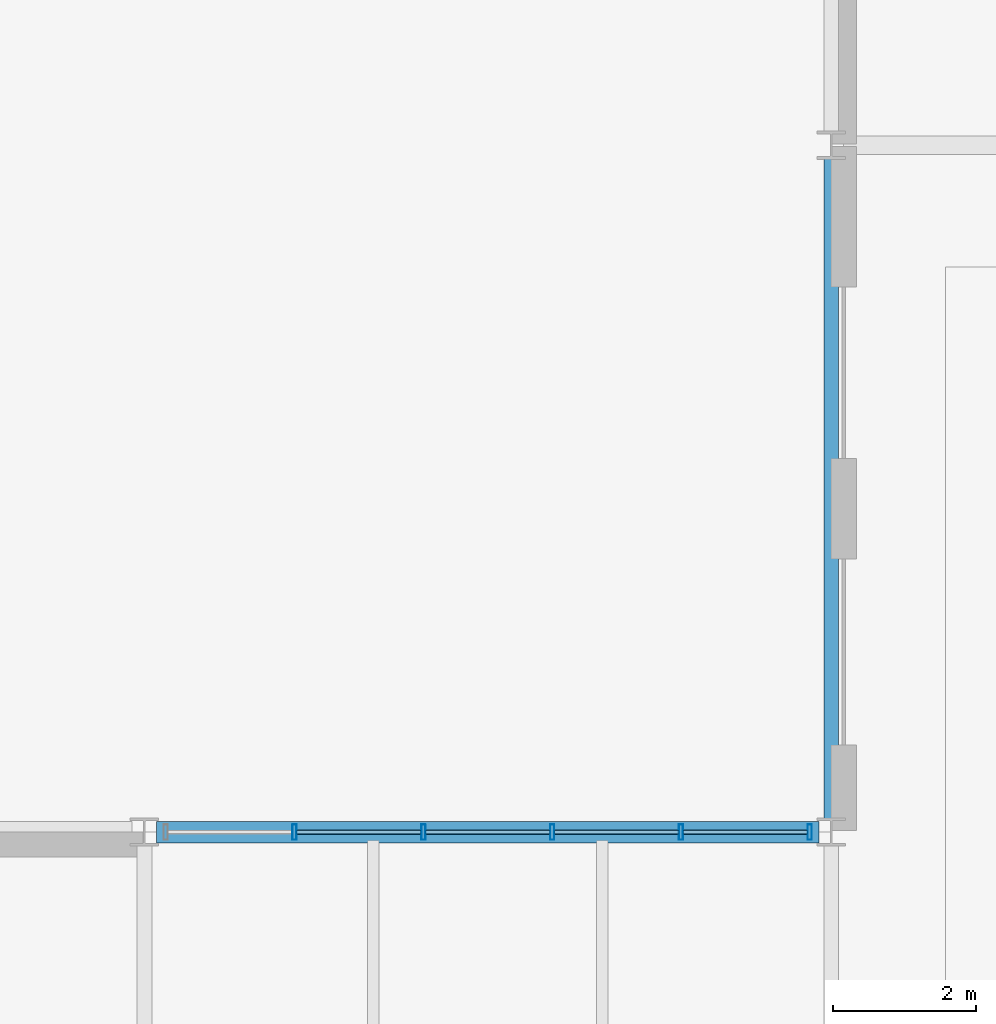
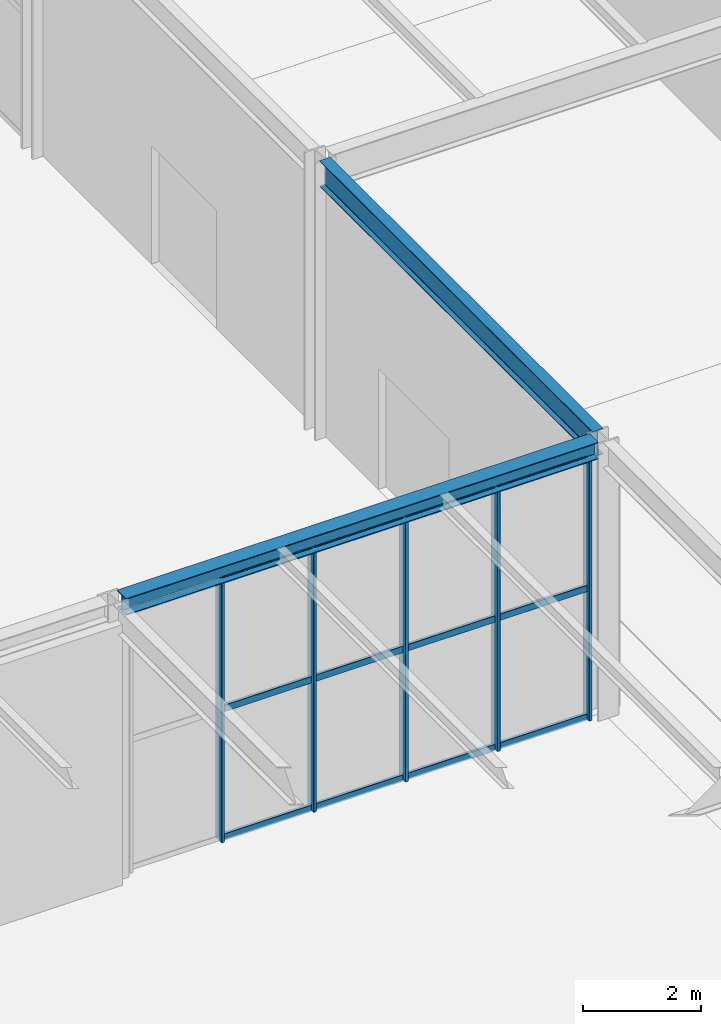
# One storey, part 59 of 142: 17 members, 2 beams, 1 element without a shape of its own.
"""IFC4 building model written with IfcOpenShell, lengths in metres."""

from ifc_helpers import new_model, si_unit, direction, frame, origin, origin_2d, place, context, subcontext, project, spatial, hollow_rectangle, i_section, extrude, material, material_profile, profile_set, type_object, element, aggregate, save


model = new_model("IFC4")

# Units and contexts
model_context = context("Model", 3, precision=1e-05, world=origin(), true_north=direction((0.0, 1.0)))
body_context = subcontext(model_context, "Body", "Model", "MODEL_VIEW")
ifc_project = project(units=[si_unit("LENGTHUNIT", "METRE"), si_unit("AREAUNIT", "SQUARE_METRE"), si_unit("VOLUMEUNIT", "CUBIC_METRE"), si_unit("PLANEANGLEUNIT", "RADIAN"), si_unit("MASSUNIT", "GRAM", prefix="KILO")], contexts=[model_context])

# Site, building, storey
site_placement = place(None, origin())
site = spatial("IfcSite", under=ifc_project, at=site_placement, CompositionType="ELEMENT")
building_placement = place(site_placement, origin())
building = spatial("IfcBuilding", under=site, at=building_placement, Name="Coralgate Yard Interchange", CompositionType="ELEMENT")
storey_placement = place(building_placement, origin())
storey = spatial("IfcBuildingStorey", under=building, at=storey_placement, Name="L00", CompositionType="ELEMENT", Elevation=0.0)

# Beams
ifc_material_1 = material(Name="Structural steel S355J2", Category="steel")
ifc_material_profile_1 = material_profile(ifc_material_1, i_section(OverallWidth=0.209228515625, OverallDepth=0.533203125, WebThickness=0.010009765625, FlangeThickness=0.015625, FilletRadius=0.0126953125, at=origin_2d()), Name="UB 533x210x92")
ifc_profile_set_1 = profile_set([ifc_material_profile_1], Name="Structural steel S355J2")
beam_type_1 = type_object("IfcBeamType", Name="BM-SB-1", PredefinedType="BEAM", material=ifc_profile_set_1)
beam_1_placement = place(storey_placement, frame((38.39990234375, 57.766845703125, 5.4833984375), z_axis=(0.0, 1.0, 0.0), x_axis=(-1.0, 0.0, 0.0)))
element("IfcBeam", 1, at=beam_1_placement, inside=storey, type_object=beam_type_1, Name="L00 primary grid girder X4 Y6-7", PredefinedType="BEAM", context=body_context, shape_type="SweptSolid", body=[
    extrude(i_section(OverallWidth=0.209228515625, OverallDepth=0.533203125, WebThickness=0.010009765625, FlangeThickness=0.015625, FilletRadius=0.0126953125, at=origin_2d()), origin(), (0.0, 0.0, 1.0), 9.266357421875),
])
ifc_material_profile_2 = material_profile(ifc_material_1, i_section(OverallWidth=0.300048828125, OverallDepth=0.35009765625, WebThickness=0.010009765625, FlangeThickness=0.017578125, FilletRadius=0.027099609375, at=origin_2d()), Name="HEA 360")
ifc_profile_set_2 = profile_set([ifc_material_profile_2], Name="Structural steel S355J2")
beam_type_2 = type_object("IfcBeamType", Name="BM-SP-1", PredefinedType="SPANDREL", material=ifc_profile_set_2)
beam_2_placement = place(storey_placement, frame((28.969482421875, 57.60009765625, 5.574951171875), z_axis=(1.0, 0.0, 0.0), x_axis=(0.0, 1.0, 0.0)))
element("IfcBeam", 2, at=beam_2_placement, inside=storey, type_object=beam_type_2, Name="L00 primary grid beam Y6 X3-4", PredefinedType="SPANDREL", context=body_context, shape_type="SweptSolid", body=[
    extrude(i_section(OverallWidth=0.300048828125, OverallDepth=0.35009765625, WebThickness=0.010009765625, FlangeThickness=0.017578125, FilletRadius=0.027099609375, at=origin_2d()), origin(), (0.0, 0.0, 1.0), 9.260986328125),
])

# Curtain wall, members
ifc_material_2 = material(Name="Anodised coastal aluminium and solar-control low-E glass", Category="aluminium")
curtain_wall_type = type_object("IfcCurtainWallType", Name="CW-CW-L00-B", PredefinedType="NOTDEFINED", material=ifc_material_2)
curtain_wall_placement = place(storey_placement, origin())
curtain_wall = element("IfcCurtainWall", 3, at=curtain_wall_placement, inside=storey, type_object=curtain_wall_type, Name="L00 unitised curtain wall CW-L00-N-03-05", PredefinedType="NOTDEFINED")
ifc_material_3 = material(Name="Anodised coastal aluminium 6063-T6", Category="aluminium")
ifc_material_profile_3 = material_profile(ifc_material_3, hollow_rectangle(XDim=0.06005859375, YDim=0.219970703125, WallThickness=0.00390625, InnerFilletRadius=0.00390625, OuterFilletRadius=0.008056640625, at=origin_2d()), Name="ALU 60x220x4")
ifc_profile_set_3 = profile_set([ifc_material_profile_3], Name="Anodised coastal aluminium 6063-T6")
member_type_1 = type_object("IfcMemberType", Name="MB-MUL-220", PredefinedType="MULLION", material=ifc_profile_set_3)
member_1_placement = place(storey_placement, frame((30.89990234375, 57.60009765625, 0.0), z_axis=(0.0, 0.0, 1.0), x_axis=(1.0, 0.0, 0.0)))
member_1 = element("IfcMember", 4, at=member_1_placement, type_object=member_type_1, Name="CW-L00-N-03-05 vertical mullion 2", PredefinedType="MULLION", context=body_context, shape_type="SweptSolid", body=[
    extrude(hollow_rectangle(XDim=0.06005859375, YDim=0.219970703125, WallThickness=0.00390625, InnerFilletRadius=0.00390625, OuterFilletRadius=0.008056640625, at=origin_2d()), origin(), (0.0, 0.0, 1.0), 5.39990234375),
])
member_2_placement = place(storey_placement, frame((32.699951171875, 57.60009765625, 0.0), z_axis=(0.0, 0.0, 1.0), x_axis=(1.0, 0.0, 0.0)))
member_2 = element("IfcMember", 5, at=member_2_placement, type_object=member_type_1, Name="CW-L00-N-03-05 vertical mullion 3", PredefinedType="MULLION", context=body_context, shape_type="SweptSolid", body=[
    extrude(hollow_rectangle(XDim=0.06005859375, YDim=0.219970703125, WallThickness=0.00390625, InnerFilletRadius=0.00390625, OuterFilletRadius=0.008056640625, at=origin_2d()), origin(), (0.0, 0.0, 1.0), 5.39990234375),
])
member_3_placement = place(storey_placement, frame((34.5, 57.60009765625, 0.0), z_axis=(0.0, 0.0, 1.0), x_axis=(1.0, 0.0, 0.0)))
member_3 = element("IfcMember", 6, at=member_3_placement, type_object=member_type_1, Name="CW-L00-N-03-05 vertical mullion 4", PredefinedType="MULLION", context=body_context, shape_type="SweptSolid", body=[
    extrude(hollow_rectangle(XDim=0.06005859375, YDim=0.219970703125, WallThickness=0.00390625, InnerFilletRadius=0.00390625, OuterFilletRadius=0.008056640625, at=origin_2d()), origin(), (0.0, 0.0, 1.0), 5.39990234375),
])
member_4_placement = place(storey_placement, frame((36.300048828125, 57.60009765625, 0.0), z_axis=(0.0, 0.0, 1.0), x_axis=(1.0, 0.0, 0.0)))
member_4 = element("IfcMember", 7, at=member_4_placement, type_object=member_type_1, Name="CW-L00-N-03-05 vertical mullion 5", PredefinedType="MULLION", context=body_context, shape_type="SweptSolid", body=[
    extrude(hollow_rectangle(XDim=0.06005859375, YDim=0.219970703125, WallThickness=0.00390625, InnerFilletRadius=0.00390625, OuterFilletRadius=0.008056640625, at=origin_2d()), origin(), (0.0, 0.0, 1.0), 5.39990234375),
])
member_5_placement = place(storey_placement, frame((38.10009765625, 57.60009765625, 0.0), z_axis=(0.0, 0.0, 1.0), x_axis=(1.0, 0.0, 0.0)))
member_5 = element("IfcMember", 8, at=member_5_placement, type_object=member_type_1, Name="CW-L00-N-03-05 vertical mullion 6", PredefinedType="MULLION", context=body_context, shape_type="SweptSolid", body=[
    extrude(hollow_rectangle(XDim=0.06005859375, YDim=0.219970703125, WallThickness=0.00390625, InnerFilletRadius=0.00390625, OuterFilletRadius=0.008056640625, at=origin_2d()), origin(), (0.0, 0.0, 1.0), 5.39990234375),
])
ifc_material_profile_4 = material_profile(ifc_material_3, hollow_rectangle(XDim=0.06005859375, YDim=0.139892578125, WallThickness=0.00341796875, InnerFilletRadius=0.00341796875, OuterFilletRadius=0.007080078125, at=origin_2d()), Name="ALU 60x140x3.5")
ifc_profile_set_4 = profile_set([ifc_material_profile_4], Name="Anodised coastal aluminium 6063-T6")
member_type_2 = type_object("IfcMemberType", Name="MB-TRN-140", PredefinedType="USERDEFINED", material=ifc_profile_set_4)
member_6_placement = place(storey_placement, frame((30.929931640625, 57.60009765625, 0.034912109375), z_axis=(1.0, 0.0, 0.0), x_axis=(0.0, 1.0, 0.0)))
member_6 = element("IfcMember", 9, at=member_6_placement, type_object=member_type_2, Name="CW-L00-N-03-05 horizontal transom 2-1", ObjectType="TRANSOM", PredefinedType="USERDEFINED", context=body_context, shape_type="SweptSolid", body=[
    extrude(hollow_rectangle(XDim=0.06005859375, YDim=0.139892578125, WallThickness=0.00341796875, InnerFilletRadius=0.00341796875, OuterFilletRadius=0.007080078125, at=origin_2d()), origin(), (0.0, 0.0, 1.0), 1.739990234375),
])
member_7_placement = place(storey_placement, frame((30.929931640625, 57.60009765625, 2.699951171875), z_axis=(1.0, 0.0, 0.0), x_axis=(0.0, 1.0, 0.0)))
member_7 = element("IfcMember", 10, at=member_7_placement, type_object=member_type_2, Name="CW-L00-N-03-05 horizontal transom 2-2", ObjectType="TRANSOM", PredefinedType="USERDEFINED", context=body_context, shape_type="SweptSolid", body=[
    extrude(hollow_rectangle(XDim=0.06005859375, YDim=0.139892578125, WallThickness=0.00341796875, InnerFilletRadius=0.00341796875, OuterFilletRadius=0.007080078125, at=origin_2d()), origin(), (0.0, 0.0, 1.0), 1.739990234375),
])
member_8_placement = place(storey_placement, frame((30.929931640625, 57.60009765625, 5.364990234375), z_axis=(1.0, 0.0, 0.0), x_axis=(0.0, 1.0, 0.0)))
member_8 = element("IfcMember", 11, at=member_8_placement, type_object=member_type_2, Name="CW-L00-N-03-05 horizontal transom 2-3", ObjectType="TRANSOM", PredefinedType="USERDEFINED", context=body_context, shape_type="SweptSolid", body=[
    extrude(hollow_rectangle(XDim=0.06005859375, YDim=0.139892578125, WallThickness=0.00341796875, InnerFilletRadius=0.00341796875, OuterFilletRadius=0.007080078125, at=origin_2d()), origin(), (0.0, 0.0, 1.0), 1.739990234375),
])
member_9_placement = place(storey_placement, frame((32.72998046875, 57.60009765625, 0.034912109375), z_axis=(1.0, 0.0, 0.0), x_axis=(0.0, 1.0, 0.0)))
member_9 = element("IfcMember", 12, at=member_9_placement, type_object=member_type_2, Name="CW-L00-N-03-05 horizontal transom 3-1", ObjectType="TRANSOM", PredefinedType="USERDEFINED", context=body_context, shape_type="SweptSolid", body=[
    extrude(hollow_rectangle(XDim=0.06005859375, YDim=0.139892578125, WallThickness=0.00341796875, InnerFilletRadius=0.00341796875, OuterFilletRadius=0.007080078125, at=origin_2d()), origin(), (0.0, 0.0, 1.0), 1.739990234375),
])
member_10_placement = place(storey_placement, frame((32.72998046875, 57.60009765625, 2.699951171875), z_axis=(1.0, 0.0, 0.0), x_axis=(0.0, 1.0, 0.0)))
member_10 = element("IfcMember", 13, at=member_10_placement, type_object=member_type_2, Name="CW-L00-N-03-05 horizontal transom 3-2", ObjectType="TRANSOM", PredefinedType="USERDEFINED", context=body_context, shape_type="SweptSolid", body=[
    extrude(hollow_rectangle(XDim=0.06005859375, YDim=0.139892578125, WallThickness=0.00341796875, InnerFilletRadius=0.00341796875, OuterFilletRadius=0.007080078125, at=origin_2d()), origin(), (0.0, 0.0, 1.0), 1.739990234375),
])
member_11_placement = place(storey_placement, frame((32.72998046875, 57.60009765625, 5.364990234375), z_axis=(1.0, 0.0, 0.0), x_axis=(0.0, 1.0, 0.0)))
member_11 = element("IfcMember", 14, at=member_11_placement, type_object=member_type_2, Name="CW-L00-N-03-05 horizontal transom 3-3", ObjectType="TRANSOM", PredefinedType="USERDEFINED", context=body_context, shape_type="SweptSolid", body=[
    extrude(hollow_rectangle(XDim=0.06005859375, YDim=0.139892578125, WallThickness=0.00341796875, InnerFilletRadius=0.00341796875, OuterFilletRadius=0.007080078125, at=origin_2d()), origin(), (0.0, 0.0, 1.0), 1.739990234375),
])
member_12_placement = place(storey_placement, frame((34.530029296875, 57.60009765625, 0.034912109375), z_axis=(1.0, 0.0, 0.0), x_axis=(0.0, 1.0, 0.0)))
member_12 = element("IfcMember", 15, at=member_12_placement, type_object=member_type_2, Name="CW-L00-N-03-05 horizontal transom 4-1", ObjectType="TRANSOM", PredefinedType="USERDEFINED", context=body_context, shape_type="SweptSolid", body=[
    extrude(hollow_rectangle(XDim=0.06005859375, YDim=0.139892578125, WallThickness=0.00341796875, InnerFilletRadius=0.00341796875, OuterFilletRadius=0.007080078125, at=origin_2d()), origin(), (0.0, 0.0, 1.0), 1.739990234375),
])
member_13_placement = place(storey_placement, frame((34.530029296875, 57.60009765625, 2.699951171875), z_axis=(1.0, 0.0, 0.0), x_axis=(0.0, 1.0, 0.0)))
member_13 = element("IfcMember", 16, at=member_13_placement, type_object=member_type_2, Name="CW-L00-N-03-05 horizontal transom 4-2", ObjectType="TRANSOM", PredefinedType="USERDEFINED", context=body_context, shape_type="SweptSolid", body=[
    extrude(hollow_rectangle(XDim=0.06005859375, YDim=0.139892578125, WallThickness=0.00341796875, InnerFilletRadius=0.00341796875, OuterFilletRadius=0.007080078125, at=origin_2d()), origin(), (0.0, 0.0, 1.0), 1.739990234375),
])
member_14_placement = place(storey_placement, frame((34.530029296875, 57.60009765625, 5.364990234375), z_axis=(1.0, 0.0, 0.0), x_axis=(0.0, 1.0, 0.0)))
member_14 = element("IfcMember", 17, at=member_14_placement, type_object=member_type_2, Name="CW-L00-N-03-05 horizontal transom 4-3", ObjectType="TRANSOM", PredefinedType="USERDEFINED", context=body_context, shape_type="SweptSolid", body=[
    extrude(hollow_rectangle(XDim=0.06005859375, YDim=0.139892578125, WallThickness=0.00341796875, InnerFilletRadius=0.00341796875, OuterFilletRadius=0.007080078125, at=origin_2d()), origin(), (0.0, 0.0, 1.0), 1.739990234375),
])
member_15_placement = place(storey_placement, frame((36.330078125, 57.60009765625, 0.034912109375), z_axis=(1.0, 0.0, 0.0), x_axis=(0.0, 1.0, 0.0)))
member_15 = element("IfcMember", 18, at=member_15_placement, type_object=member_type_2, Name="CW-L00-N-03-05 horizontal transom 5-1", ObjectType="TRANSOM", PredefinedType="USERDEFINED", context=body_context, shape_type="SweptSolid", body=[
    extrude(hollow_rectangle(XDim=0.06005859375, YDim=0.139892578125, WallThickness=0.00341796875, InnerFilletRadius=0.00341796875, OuterFilletRadius=0.007080078125, at=origin_2d()), origin(), (0.0, 0.0, 1.0), 1.739990234375),
])
member_16_placement = place(storey_placement, frame((36.330078125, 57.60009765625, 2.699951171875), z_axis=(1.0, 0.0, 0.0), x_axis=(0.0, 1.0, 0.0)))
member_16 = element("IfcMember", 19, at=member_16_placement, type_object=member_type_2, Name="CW-L00-N-03-05 horizontal transom 5-2", ObjectType="TRANSOM", PredefinedType="USERDEFINED", context=body_context, shape_type="SweptSolid", body=[
    extrude(hollow_rectangle(XDim=0.06005859375, YDim=0.139892578125, WallThickness=0.00341796875, InnerFilletRadius=0.00341796875, OuterFilletRadius=0.007080078125, at=origin_2d()), origin(), (0.0, 0.0, 1.0), 1.739990234375),
])
member_17_placement = place(storey_placement, frame((36.330078125, 57.60009765625, 5.364990234375), z_axis=(1.0, 0.0, 0.0), x_axis=(0.0, 1.0, 0.0)))
member_17 = element("IfcMember", 20, at=member_17_placement, type_object=member_type_2, Name="CW-L00-N-03-05 horizontal transom 5-3", ObjectType="TRANSOM", PredefinedType="USERDEFINED", context=body_context, shape_type="SweptSolid", body=[
    extrude(hollow_rectangle(XDim=0.06005859375, YDim=0.139892578125, WallThickness=0.00341796875, InnerFilletRadius=0.00341796875, OuterFilletRadius=0.007080078125, at=origin_2d()), origin(), (0.0, 0.0, 1.0), 1.739990234375),
])
aggregate(curtain_wall, [member_1, member_2, member_3, member_4, member_5, member_6, member_7, member_8, member_9, member_10, member_11, member_12, member_13, member_14, member_15, member_16, member_17])

save(model, "model.ifc")
